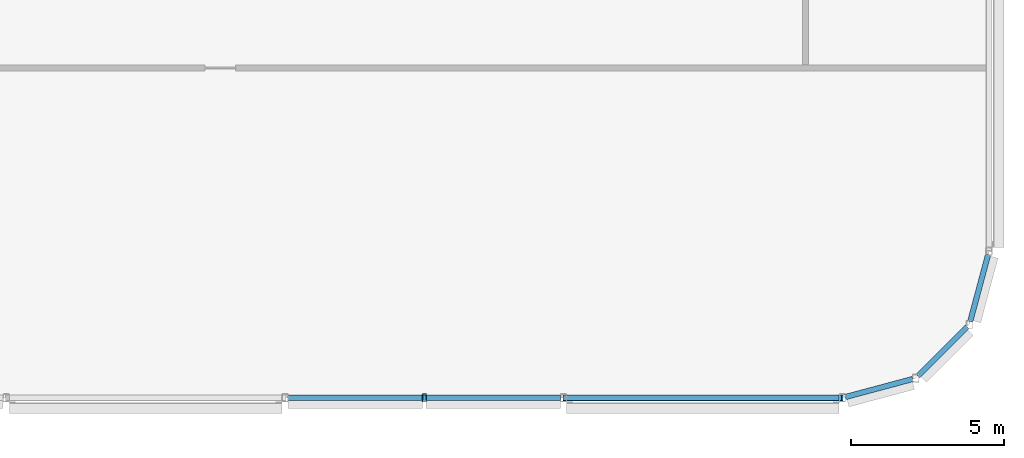
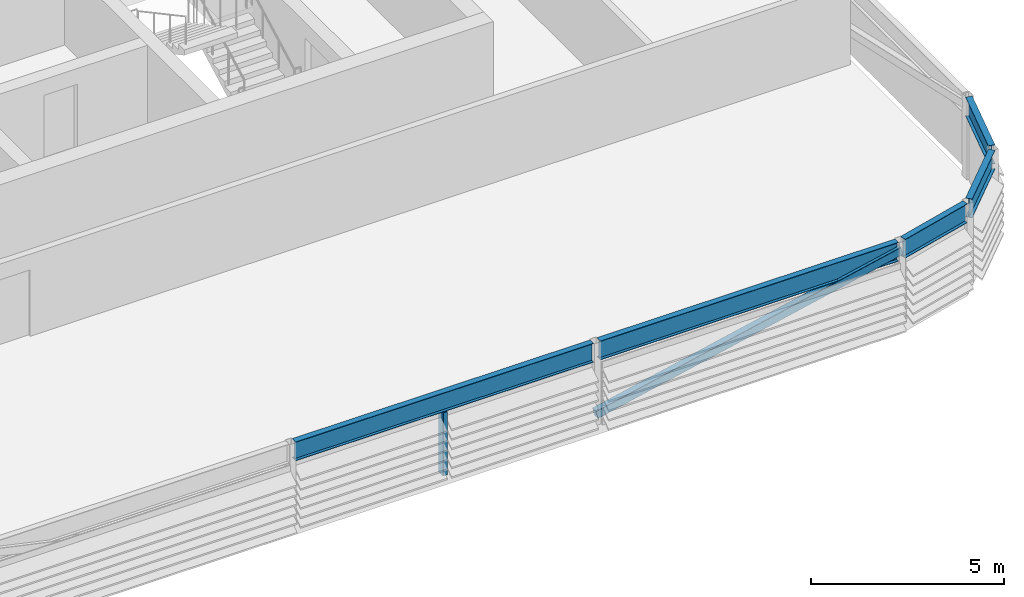
# One storey, part 8 of 27: 5 beams, 2 members.
"""IFC4 building model written with IfcOpenShell, lengths in metres."""

from ifc_helpers import new_model, si_unit, direction, frame, origin, origin_2d, place, context, subcontext, project, spatial, hollow_rectangle, i_section, extrude, material, material_profile, profile_set, type_object, element, save


model = new_model("IFC4")

# Units and contexts
model_context = context("Model", 3, precision=1e-05, world=origin(), true_north=direction((0.0, 1.0)))
body_context = subcontext(model_context, "Body", "Model", "MODEL_VIEW")
ifc_project = project(units=[si_unit("LENGTHUNIT", "METRE"), si_unit("AREAUNIT", "SQUARE_METRE"), si_unit("VOLUMEUNIT", "CUBIC_METRE"), si_unit("PLANEANGLEUNIT", "RADIAN"), si_unit("MASSUNIT", "GRAM", prefix="KILO")], contexts=[model_context])

# Site, building, storey
site_placement = place(None, origin())
site = spatial("IfcSite", under=ifc_project, at=site_placement, CompositionType="ELEMENT")
building_placement = place(site_placement, origin())
building = spatial("IfcBuilding", under=site, at=building_placement, Name="Madar Terraces", CompositionType="ELEMENT")
storey_placement = place(building_placement, frame((0.0, 0.0, 314.300048828125)))
storey = spatial("IfcBuildingStorey", under=building, at=storey_placement, Name="L81", CompositionType="ELEMENT", Elevation=314.300048828125)

# Beams
ifc_material_1 = material(Name="Steel ASTM A992 Grade 50", Category="steel")
ifc_material_profile_1 = material_profile(ifc_material_1, i_section(OverallWidth=0.1787109375, OverallDepth=0.60205078125, WebThickness=0.010986328125, FlangeThickness=0.014892578125, at=origin_2d()), Name="W24x62")
ifc_profile_set_1 = profile_set([ifc_material_profile_1], Name="Steel ASTM A992 Grade 50")
beam_type = type_object("IfcBeamType", Name="CF2 W24x62", PredefinedType="BEAM", material=ifc_profile_set_1)
for number, where, z_axis, x_axis, name in (
    (1, (33.461669921875, 1.199951171875, 2.299072265625), (1.0, 0.0, 0.0), (0.0, 1.0, 0.0), "Crown frame ring beam CF2"),
    (2, (42.58154296875, 1.199951171875, 2.299072265625), (1.0, 0.0, 0.0), (0.0, 1.0, 0.0), "Crown frame ring beam CF2"),
):
    element("IfcBeam", number, at=place(storey_placement, frame(where, z_axis=z_axis, x_axis=x_axis)), inside=storey, type_object=beam_type, Name=name, PredefinedType="BEAM", context=body_context, shape_type="SweptSolid", body=[
        extrude(i_section(OverallWidth=0.1787109375, OverallDepth=0.60205078125, WebThickness=0.010986328125, FlangeThickness=0.014892578125, at=origin_2d()), origin(), (0.0, 0.0, 1.0), 8.916748046875),
    ])
beam_1_placement = place(storey_placement, frame((51.6982421875, 1.226318359375, 2.299072265625), z_axis=(0.965912700012, 0.258868028067, 0.0), x_axis=(-0.258868028067, 0.965912700012, 0.0)))
element("IfcBeam", 3, at=beam_1_placement, inside=storey, type_object=beam_type, Name="Crown frame ring beam CF2", PredefinedType="BEAM", context=body_context, shape_type="SweptSolid", body=[
    extrude(i_section(OverallWidth=0.1787109375, OverallDepth=0.60205078125, WebThickness=0.010986328125, FlangeThickness=0.014892578125, at=origin_2d()), origin(), (0.0, 0.0, 1.0), 2.281494140625),
])
beam_2_placement = place(storey_placement, frame((54.07177734375, 1.9150390625, 2.299072265625), z_axis=(0.707160287053, 0.707053271271, 0.0), x_axis=(-0.707053271271, 0.707160287053, 0.0)))
element("IfcBeam", 4, at=beam_2_placement, inside=storey, type_object=beam_type, Name="Crown frame ring beam CF2", PredefinedType="BEAM", context=body_context, shape_type="SweptSolid", body=[
    extrude(i_section(OverallWidth=0.1787109375, OverallDepth=0.60205078125, WebThickness=0.010986328125, FlangeThickness=0.014892578125, at=origin_2d()), origin(), (0.0, 0.0, 1.0), 2.28125),
])
beam_3_placement = place(storey_placement, frame((55.783203125, 3.6982421875, 2.299072265625), z_axis=(0.258868028067, 0.965912700012, 0.0), x_axis=(-0.965912700012, 0.258868028067, 0.0)))
element("IfcBeam", 5, at=beam_3_placement, inside=storey, type_object=beam_type, Name="Crown frame ring beam CF2", PredefinedType="BEAM", context=body_context, shape_type="SweptSolid", body=[
    extrude(i_section(OverallWidth=0.1787109375, OverallDepth=0.60205078125, WebThickness=0.010986328125, FlangeThickness=0.014892578125, at=origin_2d()), origin(), (0.0, 0.0, 1.0), 2.281494140625),
])

# Members
ifc_material_2 = material(Name="Steel ASTM A500 Grade C", Category="steel")
ifc_material_profile_2 = material_profile(ifc_material_2, hollow_rectangle(XDim=0.203125, YDim=0.25390625, WallThickness=0.009521484375, InnerFilletRadius=0.00439453125, OuterFilletRadius=0.01318359375, at=origin_2d()), Name="HSS10x8x.375")
ifc_profile_set_2 = profile_set([ifc_material_profile_2], Name="Steel ASTM A500 Grade C")
member_type_1 = type_object("IfcMemberType", Name="CF5 crown frame brace HSS10x8x.375", PredefinedType="BRACE", material=ifc_profile_set_2)
member_1_placement = place(storey_placement, frame((42.47998046875, 1.199951171875, 0.300048828125), z_axis=(0.976810543859, 0.0, 0.214105491303), x_axis=(0.0, 1.0, 0.0)))
element("IfcMember", 6, at=member_1_placement, inside=storey, type_object=member_type_1, Name="Crown frame brace CF5", PredefinedType="BRACE", context=body_context, shape_type="SweptSolid", body=[
    extrude(hollow_rectangle(XDim=0.203125, YDim=0.25390625, WallThickness=0.009521484375, InnerFilletRadius=0.00439453125, OuterFilletRadius=0.01318359375, at=origin_2d()), origin(), (0.0, 0.0, 1.0), 9.336669921875),
])
ifc_material_3 = material(Name="Steel ASTM A500 Grade C", Category="steel")
ifc_material_profile_3 = material_profile(ifc_material_3, hollow_rectangle(XDim=0.126953125, YDim=0.25390625, WallThickness=0.00634765625, InnerFilletRadius=0.0029296875, OuterFilletRadius=0.0087890625, at=origin_2d()), Name="HSS10x5x.25")
ifc_profile_set_3 = profile_set([ifc_material_profile_3], Name="Steel ASTM A500 Grade C")
member_type_2 = type_object("IfcMemberType", Name="LS2 HSS10x5x.25", PredefinedType="POST", material=ifc_profile_set_3)
member_2_placement = place(storey_placement, frame((37.919921875, 1.199951171875, 0.0), z_axis=(0.0, 0.0, 1.0), x_axis=(1.0, 0.0, 0.0)))
element("IfcMember", 7, at=member_2_placement, inside=storey, type_object=member_type_2, Name="Crown louvre post LS2", PredefinedType="POST", context=body_context, shape_type="SweptSolid", body=[
    extrude(hollow_rectangle(XDim=0.126953125, YDim=0.25390625, WallThickness=0.00634765625, InnerFilletRadius=0.0029296875, OuterFilletRadius=0.0087890625, at=origin_2d()), origin(), (0.0, 0.0, 1.0), 1.998046875),
])

save(model, "model.ifc")
